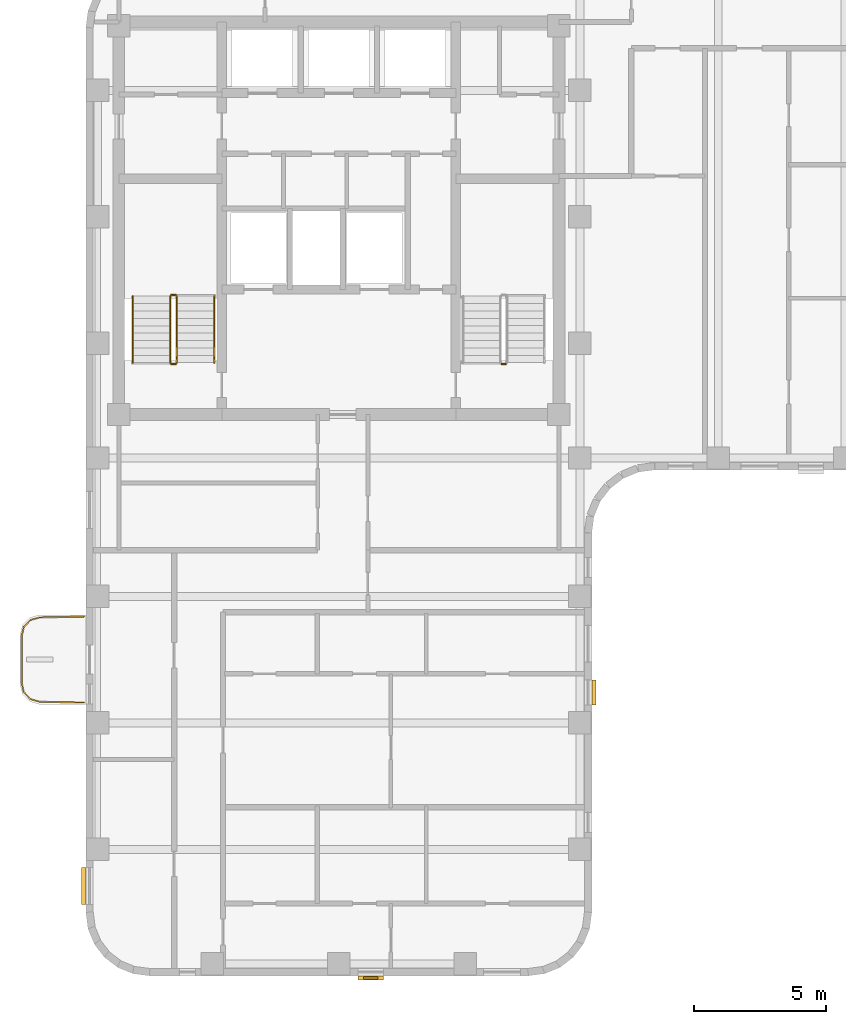
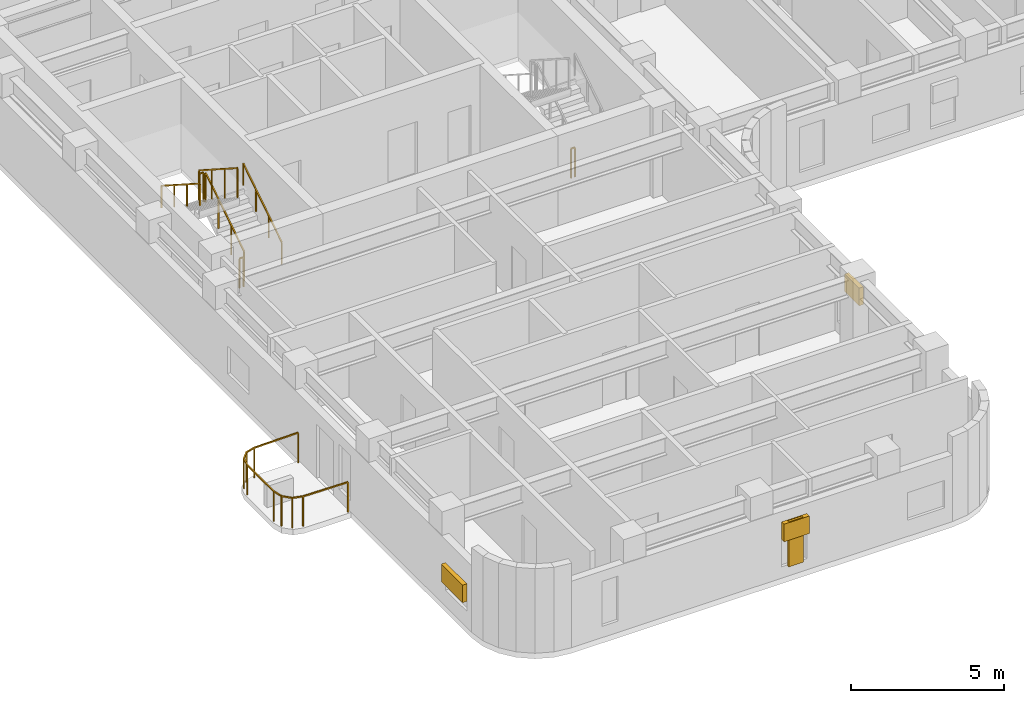
# One storey, part 8 of 10: 8 railings, 4 shading devices.
"""IFC4 building model written with IfcOpenShell, lengths in metres."""

from ifc_helpers import new_model, si_unit, direction, frame, origin, origin_2d, place, context, subcontext, project, spatial, rectangle, extrude, material, type_object, element, save


model = new_model("IFC4")

# Units and contexts
model_context = context("Model", 3, precision=1e-05, world=origin(), true_north=direction((0.0, 1.0)))
body_context = subcontext(model_context, "Body", "Model", "MODEL_VIEW")
ifc_project = project(units=[si_unit("LENGTHUNIT", "METRE"), si_unit("AREAUNIT", "SQUARE_METRE"), si_unit("VOLUMEUNIT", "CUBIC_METRE"), si_unit("PLANEANGLEUNIT", "RADIAN"), si_unit("MASSUNIT", "GRAM", prefix="KILO")], contexts=[model_context])

# Site, building, storey
site_placement = place(None, origin())
site = spatial("IfcSite", under=ifc_project, at=site_placement, CompositionType="ELEMENT")
building_placement = place(site_placement, origin())
building = spatial("IfcBuilding", under=site, at=building_placement, Name="Orvandelia Arch Residences", CompositionType="ELEMENT")
storey_placement = place(building_placement, frame((0.0, 0.0, 207.39990234375)))
storey = spatial("IfcBuildingStorey", under=building, at=storey_placement, Name="L54", CompositionType="ELEMENT", Elevation=207.39990234375)

# Railings
ifc_material_1 = material(Name="Marine-Grade Stainless Steel 316", Category="steel")
railing_type_1 = type_object("IfcRailingType", Name="GRD-BAL-1200", PredefinedType="BALUSTRADE", material=ifc_material_1)
railing_1_placement = place(storey_placement, frame((4.728271484375, 23.23046875, 0.0)))
element("IfcRailing", 1, at=railing_1_placement, inside=storey, type_object=railing_type_1, Name="Safety Balustrade Guard GRD-L54-BAL-L54-W1-1", PredefinedType="BALUSTRADE", context=body_context, shape_type="SweptSolid", body=[
    extrude(rectangle(XDim=0.048095703125, YDim=0.048095703125, at=origin_2d()), frame((0.0, 0.0, 1.19580078125), z_axis=(-0.999834751713, -0.018178813668, 0.0), x_axis=(0.018178813668, -0.999834751713, 0.0)), (0.0, 0.0, 1.0), 1.6787109375),
    extrude(rectangle(XDim=0.048095703125, YDim=0.048095703125, at=origin_2d()), frame((-1.678466796875, -0.030517578125, 1.19580078125), z_axis=(-0.96348920644, -0.267747173792, 0.0), x_axis=(0.267747173792, -0.96348920644, 0.0)), (0.0, 0.0, 1.0), 0.36572265625),
    extrude(rectangle(XDim=0.048095703125, YDim=0.048095703125, at=origin_2d()), frame((-2.03076171875, -0.12841796875, 1.19580078125), z_axis=(-0.688627404251, -0.725115368831, 0.0), x_axis=(0.725115368831, -0.688627404251, 0.0)), (0.0, 0.0, 1.0), 0.367919921875),
    extrude(rectangle(XDim=0.048095703125, YDim=0.048095703125, at=origin_2d()), frame((-2.2841796875, -0.395263671875, 1.19580078125), z_axis=(-0.220461657419, -0.975395641577, 0.0), x_axis=(0.975395641577, -0.220461657419, 0.0)), (0.0, 0.0, 1.0), 0.373291015625),
    extrude(rectangle(XDim=0.048095703125, YDim=0.048095703125, at=origin_2d()), frame((-2.366455078125, -0.75927734375, 1.19580078125), z_axis=(0.0, -1.0, 0.0), x_axis=(1.0, 0.0, 0.0)), (0.0, 0.0, 1.0), 1.742431640625),
    extrude(rectangle(XDim=0.048095703125, YDim=0.048095703125, at=origin_2d()), frame((-2.366455078125, -2.501708984375, 1.19580078125), z_axis=(0.220602419982, -0.975363815352, 0.0), x_axis=(0.975363815352, 0.220602419982, 0.0)), (0.0, 0.0, 1.0), 0.373046875),
    extrude(rectangle(XDim=0.048095703125, YDim=0.048095703125, at=origin_2d()), frame((-2.2841796875, -2.865478515625, 1.19580078125), z_axis=(0.688296224633, -0.725429739642, 0.0), x_axis=(0.725429739642, 0.688296224633, 0.0)), (0.0, 0.0, 1.0), 0.3681640625),
    extrude(rectangle(XDim=0.048095703125, YDim=0.048095703125, at=origin_2d()), frame((-2.03076171875, -3.132568359375, 1.19580078125), z_axis=(0.96348920644, -0.267747173792, 0.0), x_axis=(0.267747173792, 0.96348920644, 0.0)), (0.0, 0.0, 1.0), 0.36572265625),
    extrude(rectangle(XDim=0.048095703125, YDim=0.048095703125, at=origin_2d()), frame((-1.678466796875, -3.23046875, 1.19580078125), z_axis=(0.999834751713, -0.018178813668, 0.0), x_axis=(0.018178813668, 0.999834751713, 0.0)), (0.0, 0.0, 1.0), 1.6787109375),
    extrude(rectangle(XDim=0.0419921875, YDim=0.0419921875, at=origin_2d()), origin(), (0.0, 0.0, 1.0), 1.171875),
    extrude(rectangle(XDim=0.0419921875, YDim=0.0419921875, at=origin_2d()), frame((-1.678466796875, -0.030517578125, 0.0)), (0.0, 0.0, 1.0), 1.171875),
    extrude(rectangle(XDim=0.0419921875, YDim=0.0419921875, at=origin_2d()), frame((-2.03076171875, -0.12841796875, 0.0)), (0.0, 0.0, 1.0), 1.171875),
    extrude(rectangle(XDim=0.0419921875, YDim=0.0419921875, at=origin_2d()), frame((-2.2841796875, -0.395263671875, 0.0)), (0.0, 0.0, 1.0), 1.171875),
    extrude(rectangle(XDim=0.0419921875, YDim=0.0419921875, at=origin_2d()), frame((-2.366455078125, -0.75927734375, 0.0)), (0.0, 0.0, 1.0), 1.171875),
    extrude(rectangle(XDim=0.0419921875, YDim=0.0419921875, at=origin_2d()), frame((-2.366455078125, -2.501708984375, 0.0)), (0.0, 0.0, 1.0), 1.171875),
    extrude(rectangle(XDim=0.0419921875, YDim=0.0419921875, at=origin_2d()), frame((-2.2841796875, -2.865478515625, 0.0)), (0.0, 0.0, 1.0), 1.171875),
    extrude(rectangle(XDim=0.0419921875, YDim=0.0419921875, at=origin_2d()), frame((-2.03076171875, -3.132568359375, 0.0)), (0.0, 0.0, 1.0), 1.171875),
    extrude(rectangle(XDim=0.0419921875, YDim=0.0419921875, at=origin_2d()), frame((-1.678466796875, -3.23046875, 0.0)), (0.0, 0.0, 1.0), 1.171875),
    extrude(rectangle(XDim=0.0419921875, YDim=0.0419921875, at=origin_2d()), frame((0.0, -3.260986328125, 0.0)), (0.0, 0.0, 1.0), 1.171875),
])
ifc_material_2 = material(Name="Brushed Stainless Steel 304", Category="steel")
railing_type_2 = type_object("IfcRailingType", Name="RL-STAIR-GD1120", PredefinedType="GUARDRAIL", material=ifc_material_2)
railing_2_placement = place(storey_placement, frame((8.25, 32.8701171875, 0.18017578125)))
element("IfcRailing", 2, at=railing_2_placement, inside=storey, type_object=railing_type_2, Name="L54 ST-1 stair guard 1", PredefinedType="GUARDRAIL", context=body_context, shape_type="SweptSolid", body=[
    extrude(rectangle(XDim=0.048095703125, YDim=0.048095703125, at=origin_2d()), frame((0.0, 0.0, 1.17578125), z_axis=(0.0, 0.841175827307, 0.540761710511), x_axis=(-1.0, 0.0, 0.0)), (0.0, 0.0, 1.0), 2.99560546875),
    extrude(rectangle(XDim=0.0419921875, YDim=0.0419921875, at=origin_2d()), origin(), (0.0, 0.0, 1.0), 1.15185546875),
    extrude(rectangle(XDim=0.0419921875, YDim=0.0419921875, at=origin_2d()), frame((0.0, 0.83984375, 0.5400390625)), (0.0, 0.0, 1.0), 1.15185546875),
    extrude(rectangle(XDim=0.0419921875, YDim=0.0419921875, at=origin_2d()), frame((0.0, 1.679931640625, 1.079833984375)), (0.0, 0.0, 1.0), 1.15185546875),
    extrude(rectangle(XDim=0.0419921875, YDim=0.0419921875, at=origin_2d()), frame((0.0, 2.519775390625, 1.619873046875)), (0.0, 0.0, 1.0), 1.15185546875),
])
railing_3_placement = place(storey_placement, frame((8.199951171875, 35.43994140625, 1.800048828125)))
element("IfcRailing", 3, at=railing_3_placement, inside=storey, type_object=railing_type_2, Name="L54 ST-1 stair guard 2", PredefinedType="GUARDRAIL", context=body_context, shape_type="SweptSolid", body=[
    extrude(rectangle(XDim=0.048095703125, YDim=0.048095703125, at=origin_2d()), frame((0.0, 0.0, 1.17578125), z_axis=(-1.0, 0.0, 0.0), x_axis=(0.0, -1.0, 0.0)), (0.0, 0.0, 1.0), 0.14990234375),
    extrude(rectangle(XDim=0.0419921875, YDim=0.0419921875, at=origin_2d()), origin(), (0.0, 0.0, 1.0), 1.15185546875),
    extrude(rectangle(XDim=0.0419921875, YDim=0.0419921875, at=origin_2d()), frame((-0.14990234375, 0.0, 0.0)), (0.0, 0.0, 1.0), 1.15185546875),
])
railing_4_placement = place(storey_placement, frame((8.0, 35.389892578125, 1.97998046875)))
element("IfcRailing", 4, at=railing_4_placement, inside=storey, type_object=railing_type_2, Name="L54 ST-1 stair guard 3", PredefinedType="GUARDRAIL", context=body_context, shape_type="SweptSolid", body=[
    extrude(rectangle(XDim=0.048095703125, YDim=0.048095703125, at=origin_2d()), frame((0.0, 0.0, 1.17578125), z_axis=(0.0, -0.841138753965, 0.540819375188), x_axis=(1.0, 0.0, 0.0)), (0.0, 0.0, 1.0), 2.99560546875),
    extrude(rectangle(XDim=0.0419921875, YDim=0.0419921875, at=origin_2d()), origin(), (0.0, 0.0, 1.0), 1.15185546875),
    extrude(rectangle(XDim=0.0419921875, YDim=0.0419921875, at=origin_2d()), frame((0.0, -0.83984375, 0.5400390625)), (0.0, 0.0, 1.0), 1.15185546875),
    extrude(rectangle(XDim=0.0419921875, YDim=0.0419921875, at=origin_2d()), frame((0.0, -1.679931640625, 1.080078125)), (0.0, 0.0, 1.0), 1.15185546875),
    extrude(rectangle(XDim=0.0419921875, YDim=0.0419921875, at=origin_2d()), frame((0.0, -2.519775390625, 1.6201171875)), (0.0, 0.0, 1.0), 1.15185546875),
])
for number, where, name in (
    (5, (8.199951171875, 32.820068359375, 0.0), "L54 ST-1 stair guard 4"),
    (6, (20.72998046875, 32.820068359375, 0.0), "L54 ST-2 stair guard 4"),
):
    element("IfcRailing", number, at=place(storey_placement, frame(where)), inside=storey, type_object=railing_type_2, Name=name, PredefinedType="GUARDRAIL", context=body_context, shape_type="SweptSolid", body=[
        extrude(rectangle(XDim=0.048095703125, YDim=0.048095703125, at=origin_2d()), frame((0.0, 0.0, 1.17578125), z_axis=(-1.0, 0.0, 0.0), x_axis=(0.0, -1.0, 0.0)), (0.0, 0.0, 1.0), 0.14990234375),
        extrude(rectangle(XDim=0.0419921875, YDim=0.0419921875, at=origin_2d()), origin(), (0.0, 0.0, 1.0), 1.15185546875),
        extrude(rectangle(XDim=0.0419921875, YDim=0.0419921875, at=origin_2d()), frame((-0.14990234375, 0.0, 0.0)), (0.0, 0.0, 1.0), 1.15185546875),
    ])
railing_type_3 = type_object("IfcRailingType", Name="RL-STAIR-HR920", PredefinedType="HANDRAIL", material=ifc_material_2)
railing_5_placement = place(storey_placement, frame((9.669921875, 32.8701171875, 0.360107421875)))
element("IfcRailing", 7, at=railing_5_placement, inside=storey, type_object=railing_type_3, Name="L54 ST-1 stair handrail 1", PredefinedType="HANDRAIL", context=body_context, shape_type="SweptSolid", body=[
    extrude(rectangle(XDim=0.048095703125, YDim=0.048095703125, at=origin_2d()), frame((0.0, 0.0, 0.8759765625), z_axis=(0.0, 0.841175827307, 0.540761710511), x_axis=(-1.0, 0.0, 0.0)), (0.0, 0.0, 1.0), 2.99560546875),
    extrude(rectangle(XDim=0.0419921875, YDim=0.0419921875, at=origin_2d()), origin(), (0.0, 0.0, 1.0), 0.851806640625),
    extrude(rectangle(XDim=0.0419921875, YDim=0.0419921875, at=origin_2d()), frame((0.0, 0.83984375, 0.5400390625)), (0.0, 0.0, 1.0), 0.851806640625),
    extrude(rectangle(XDim=0.0419921875, YDim=0.0419921875, at=origin_2d()), frame((0.0, 1.679931640625, 1.079833984375)), (0.0, 0.0, 1.0), 0.851806640625),
    extrude(rectangle(XDim=0.0419921875, YDim=0.0419921875, at=origin_2d()), frame((0.0, 2.519775390625, 1.619873046875)), (0.0, 0.0, 1.0), 0.851806640625),
])
railing_6_placement = place(storey_placement, frame((6.580078125, 35.389892578125, 2.16015625)))
element("IfcRailing", 8, at=railing_6_placement, inside=storey, type_object=railing_type_3, Name="L54 ST-1 stair handrail 2", PredefinedType="HANDRAIL", context=body_context, shape_type="SweptSolid", body=[
    extrude(rectangle(XDim=0.048095703125, YDim=0.048095703125, at=origin_2d()), frame((0.0, 0.0, 0.8759765625), z_axis=(0.0, -0.841175827307, 0.540761710511), x_axis=(1.0, 0.0, 0.0)), (0.0, 0.0, 1.0), 2.99560546875),
    extrude(rectangle(XDim=0.0419921875, YDim=0.0419921875, at=origin_2d()), origin(), (0.0, 0.0, 1.0), 0.851806640625),
    extrude(rectangle(XDim=0.0419921875, YDim=0.0419921875, at=origin_2d()), frame((0.0, -0.83984375, 0.5400390625)), (0.0, 0.0, 1.0), 0.851806640625),
    extrude(rectangle(XDim=0.0419921875, YDim=0.0419921875, at=origin_2d()), frame((0.0, -1.679931640625, 1.079833984375)), (0.0, 0.0, 1.0), 0.851806640625),
    extrude(rectangle(XDim=0.0419921875, YDim=0.0419921875, at=origin_2d()), frame((0.0, -2.519775390625, 1.619873046875)), (0.0, 0.0, 1.0), 0.851806640625),
])

# Shading devices
ifc_material_3 = material(Name="Anodised Champagne-Bronze Extruded Aluminium", Category="aluminium")
shading_device_type_1 = type_object("IfcShadingDeviceType", Name="SHD-JALOUSIE-SCREEN", PredefinedType="JALOUSIE", material=ifc_material_3)
for number, where, z_axis, x_axis, name in (
    (9, (24.080078125, 20.3525390625, 1.55029296875), (0.0, 0.0, 1.0), (0.0, -1.0, 0.0), "Bronze Jalousie Sun-Shade L54-005"),
    (10, (15.612060546875, 9.52001953125, 1.55029296875), (0.0, 0.0, 1.0), (-1.0, 0.0, 0.0), "Bronze Jalousie Sun-Shade L54-006"),
):
    element("IfcShadingDevice", number, at=place(storey_placement, frame(where, z_axis=z_axis, x_axis=x_axis)), inside=storey, type_object=shading_device_type_1, Name=name, PredefinedType="JALOUSIE", context=body_context, shape_type="SweptSolid", body=[
        extrude(rectangle(XDim=0.949951171875, YDim=0.159912109375, at=origin_2d()), origin(), (0.0, 0.0, 1.0), 0.699951171875),
    ])
shading_device_1_placement = place(storey_placement, frame((4.719970703125, 13.007568359375, 1.05029296875), z_axis=(0.0, 0.0, 1.0), x_axis=(0.0, 1.0, 0.0)))
element("IfcShadingDevice", 11, at=shading_device_1_placement, inside=storey, type_object=shading_device_type_1, Name="Bronze Jalousie Sun-Shade L54-007", PredefinedType="JALOUSIE", context=body_context, shape_type="SweptSolid", body=[
    extrude(rectangle(XDim=1.39990234375, YDim=0.159912109375, at=origin_2d()), origin(), (0.0, 0.0, 1.0), 0.699951171875),
])
ifc_material_4 = material(Name="Marine-Grade Perforated Aluminium Storm Shutter", Category="aluminium")
shading_device_type_2 = type_object("IfcShadingDeviceType", Name="SHD-STORM-SHUTTER", PredefinedType="SHUTTER", material=ifc_material_4)
shading_device_2_placement = place(storey_placement, frame((15.612060546875, 9.52001953125, 0.4501953125), z_axis=(0.0, 0.0, 1.0), x_axis=(-1.0, 0.0, 0.0)))
element("IfcShadingDevice", 12, at=shading_device_2_placement, inside=storey, type_object=shading_device_type_2, Name="Operable Typhoon Storm Shutter L54-006", PredefinedType="SHUTTER", context=body_context, shape_type="SweptSolid", body=[
    extrude(rectangle(XDim=0.550048828125, YDim=0.080078125, at=origin_2d()), origin(), (0.0, 0.0, 1.0), 1.800048828125),
])

save(model, "model.ifc")
